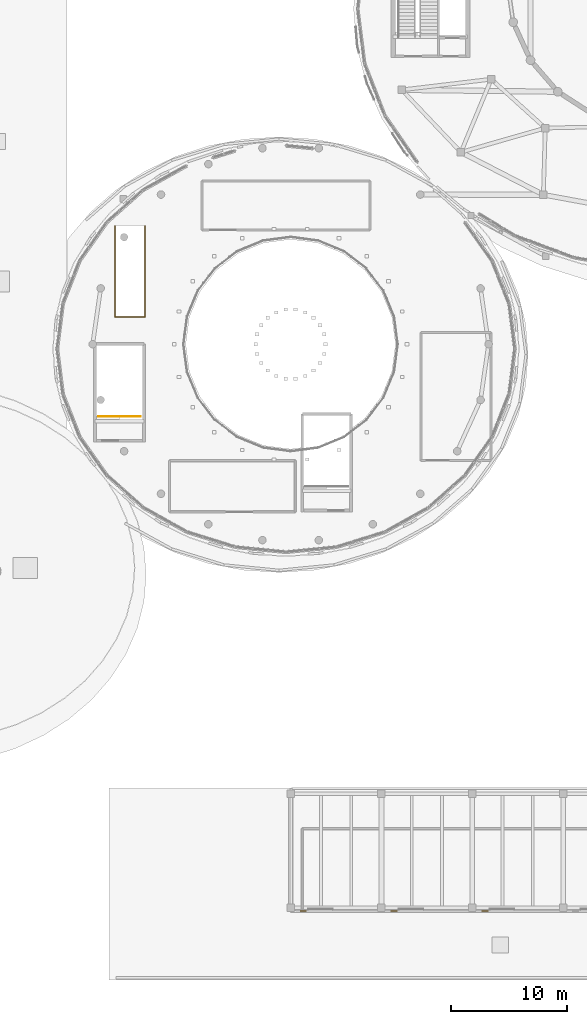
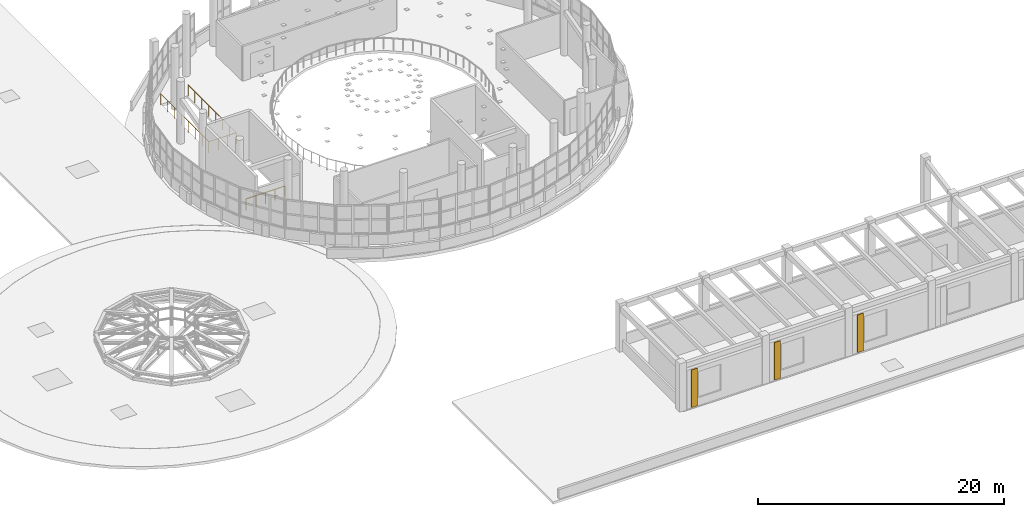
# One storey, part 100 of 105: 3 coverings, 2 railings.
"""IFC4 building model written with IfcOpenShell, lengths in metres."""

from ifc_helpers import new_model, si_unit, direction, frame, origin, origin_2d, place, context, subcontext, project, spatial, rectangle, circle, extrude, material, layer, layer_set, type_object, element, save


model = new_model("IFC4")

# Units and contexts
model_context = context("Model", 3, precision=1e-05, world=origin(), true_north=direction((0.0, 1.0)))
body_context = subcontext(model_context, "Body", "Model", "MODEL_VIEW")
ifc_project = project(units=[si_unit("LENGTHUNIT", "METRE"), si_unit("AREAUNIT", "SQUARE_METRE"), si_unit("VOLUMEUNIT", "CUBIC_METRE"), si_unit("PLANEANGLEUNIT", "RADIAN"), si_unit("MASSUNIT", "GRAM", prefix="KILO")], contexts=[model_context])

# Site, building, storey
site_placement = place(None, origin())
site = spatial("IfcSite", under=ifc_project, at=site_placement, CompositionType="ELEMENT")
building_placement = place(site_placement, origin())
building = spatial("IfcBuilding", under=site, at=building_placement, Name="Pelvatis Terrace Science Centre", CompositionType="ELEMENT")
storey_placement = place(building_placement, frame((0.0, 0.0, 10.199951171875)))
storey = spatial("IfcBuildingStorey", under=building, at=storey_placement, Name="L02", CompositionType="ELEMENT", Elevation=10.199951171875)

# Coverings
ifc_material_1 = material(Name="Fluted warm stone-aggregate precast facade relief panel", Category="masonry")
ifc_layer = layer(ifc_material_1, 0.054931640625)
ifc_layer_set = layer_set([ifc_layer], Name="Fluted warm stone-aggregate precast facade relief panel")
covering_type = type_object("IfcCoveringType", Name="COV-CLAD-PREC-55", PredefinedType="CLADDING", material=ifc_layer_set)
for number, where, z_axis, x_axis, name in (
    (1, (79.080078125, 5.91259765625, 0.06005859375), (0.0, 0.0, 1.0), (1.0, 0.0, 0.0), "Classical fluted stone pilaster strip 32"),
    (2, (86.8798828125, 5.91259765625, 0.06005859375), (0.0, 0.0, 1.0), (1.0, 0.0, 0.0), "Classical fluted stone pilaster strip 33"),
    (3, (94.679931640625, 5.91259765625, 0.06005859375), (0.0, 0.0, 1.0), (1.0, 0.0, 0.0), "Classical fluted stone pilaster strip 34"),
):
    element("IfcCovering", number, at=place(storey_placement, frame(where, z_axis=z_axis, x_axis=x_axis)), inside=storey, type_object=covering_type, Name=name, PredefinedType="CLADDING", context=body_context, shape_type="SweptSolid", body=[
        extrude(rectangle(XDim=0.550048828125, YDim=0.054931640625, at=origin_2d()), origin(), (0.0, 0.0, 1.0), 3.739990234375),
    ])

# Railings
ifc_material_2 = material(Name="Brushed architectural bronze tubular railing", Category="steel")
railing_type = type_object("IfcRailingType", Name="RLG-GRD-1120", PredefinedType="GUARDRAIL", material=ifc_material_2)
railing_1_placement = place(storey_placement, frame((61.47998046875, 48.3798828125, 0.0)))
element("IfcRailing", 4, at=railing_1_placement, inside=storey, type_object=railing_type, Name="Stair ST-05 top-storey well guard", PredefinedType="GUARDRAIL", context=body_context, shape_type="SweptSolid", body=[
    extrude(circle(Radius=0.02392578125, at=origin_2d()), frame((0.0, 0.0, 1.09619140625), z_axis=(1.0, 0.0, 0.0), x_axis=(0.0, 1.0, 0.0)), (0.0, 0.0, 1.0), 3.64013671875),
    extrude(circle(Radius=0.02099609375, at=origin_2d()), origin(), (0.0, 0.0, 1.0), 1.072021484375),
    extrude(circle(Radius=0.02099609375, at=origin_2d()), frame((0.91015625, 0.0, 0.0)), (0.0, 0.0, 1.0), 1.072021484375),
    extrude(circle(Radius=0.02099609375, at=origin_2d()), frame((1.820068359375, 0.0, 0.0)), (0.0, 0.0, 1.0), 1.072021484375),
    extrude(circle(Radius=0.02099609375, at=origin_2d()), frame((2.72998046875, 0.0, 0.0)), (0.0, 0.0, 1.0), 1.072021484375),
    extrude(circle(Radius=0.02099609375, at=origin_2d()), frame((3.64013671875, 0.0, 0.0)), (0.0, 0.0, 1.0), 1.072021484375),
])
railing_2_placement = place(storey_placement, frame((62.919921875, 64.75, 0.0)))
element("IfcRailing", 5, at=railing_2_placement, inside=storey, type_object=railing_type, Name="Stair FST-03 upper well guardrail", PredefinedType="GUARDRAIL", context=body_context, shape_type="SweptSolid", body=[
    extrude(circle(Radius=0.02392578125, at=origin_2d()), frame((0.0, 0.0, 1.09619140625), z_axis=(0.0, -1.0, 0.0), x_axis=(1.0, 0.0, 0.0)), (0.0, 0.0, 1.0), 7.830078125),
    extrude(circle(Radius=0.02392578125, at=origin_2d()), frame((0.0, -7.830078125, 1.09619140625), z_axis=(1.0, 0.0, 0.0), x_axis=(0.0, 1.0, 0.0)), (0.0, 0.0, 1.0), 2.56005859375),
    extrude(circle(Radius=0.02392578125, at=origin_2d()), frame((2.56005859375, -7.830078125, 1.09619140625), z_axis=(0.0, 1.0, 0.0), x_axis=(-1.0, 0.0, 0.0)), (0.0, 0.0, 1.0), 7.830078125),
    extrude(circle(Radius=0.02099609375, at=origin_2d()), origin(), (0.0, 0.0, 1.0), 1.072021484375),
    extrude(circle(Radius=0.02099609375, at=origin_2d()), frame((0.0, -1.11865234375, 0.0)), (0.0, 0.0, 1.0), 1.072021484375),
    extrude(circle(Radius=0.02099609375, at=origin_2d()), frame((0.0, -2.237060546875, 0.0)), (0.0, 0.0, 1.0), 1.072021484375),
    extrude(circle(Radius=0.02099609375, at=origin_2d()), frame((0.0, -3.355712890625, 0.0)), (0.0, 0.0, 1.0), 1.072021484375),
    extrude(circle(Radius=0.02099609375, at=origin_2d()), frame((0.0, -4.474365234375, 0.0)), (0.0, 0.0, 1.0), 1.072021484375),
    extrude(circle(Radius=0.02099609375, at=origin_2d()), frame((0.0, -5.593017578125, 0.0)), (0.0, 0.0, 1.0), 1.072021484375),
    extrude(circle(Radius=0.02099609375, at=origin_2d()), frame((0.0, -6.71142578125, 0.0)), (0.0, 0.0, 1.0), 1.072021484375),
    extrude(circle(Radius=0.02099609375, at=origin_2d()), frame((0.0, -7.830078125, 0.0)), (0.0, 0.0, 1.0), 1.072021484375),
    extrude(circle(Radius=0.02099609375, at=origin_2d()), frame((0.853271484375, -7.830078125, 0.0)), (0.0, 0.0, 1.0), 1.072021484375),
    extrude(circle(Radius=0.02099609375, at=origin_2d()), frame((1.706787109375, -7.830078125, 0.0)), (0.0, 0.0, 1.0), 1.072021484375),
    extrude(circle(Radius=0.02099609375, at=origin_2d()), frame((2.56005859375, -7.830078125, 0.0)), (0.0, 0.0, 1.0), 1.072021484375),
    extrude(circle(Radius=0.02099609375, at=origin_2d()), frame((2.56005859375, -6.71142578125, 0.0)), (0.0, 0.0, 1.0), 1.072021484375),
    extrude(circle(Radius=0.02099609375, at=origin_2d()), frame((2.56005859375, -5.593017578125, 0.0)), (0.0, 0.0, 1.0), 1.072021484375),
    extrude(circle(Radius=0.02099609375, at=origin_2d()), frame((2.56005859375, -4.474365234375, 0.0)), (0.0, 0.0, 1.0), 1.072021484375),
    extrude(circle(Radius=0.02099609375, at=origin_2d()), frame((2.56005859375, -3.355712890625, 0.0)), (0.0, 0.0, 1.0), 1.072021484375),
    extrude(circle(Radius=0.02099609375, at=origin_2d()), frame((2.56005859375, -2.237060546875, 0.0)), (0.0, 0.0, 1.0), 1.072021484375),
    extrude(circle(Radius=0.02099609375, at=origin_2d()), frame((2.56005859375, -1.11865234375, 0.0)), (0.0, 0.0, 1.0), 1.072021484375),
    extrude(circle(Radius=0.02099609375, at=origin_2d()), frame((2.56005859375, 0.0, 0.0)), (0.0, 0.0, 1.0), 1.072021484375),
])

save(model, "model.ifc")
